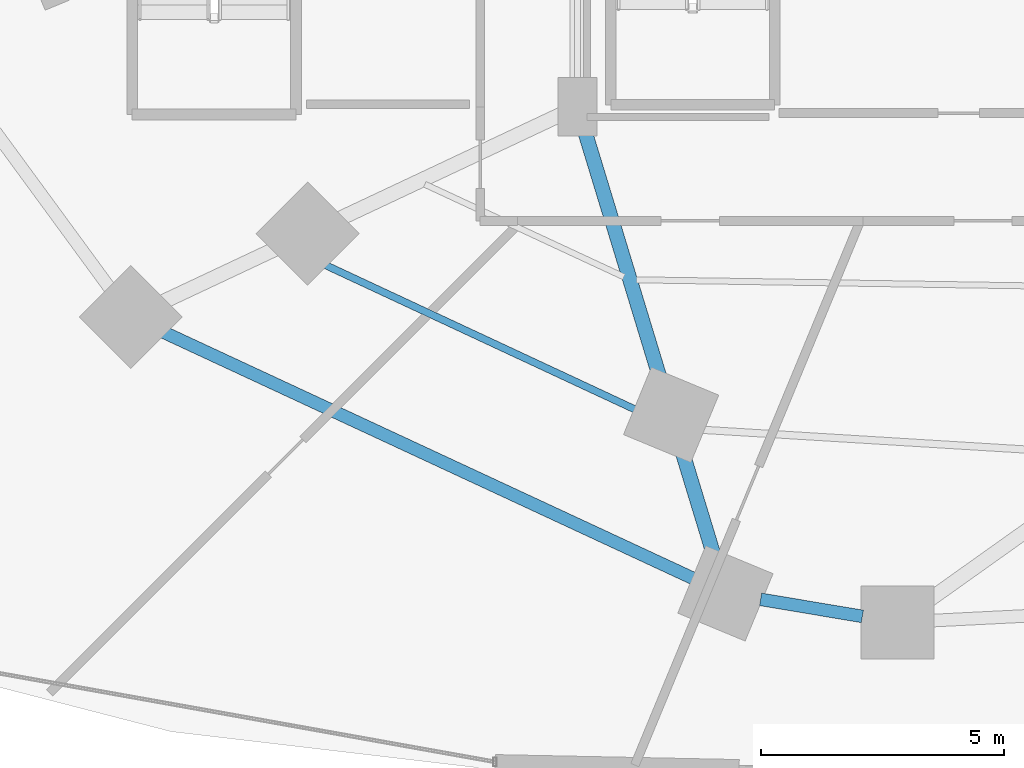
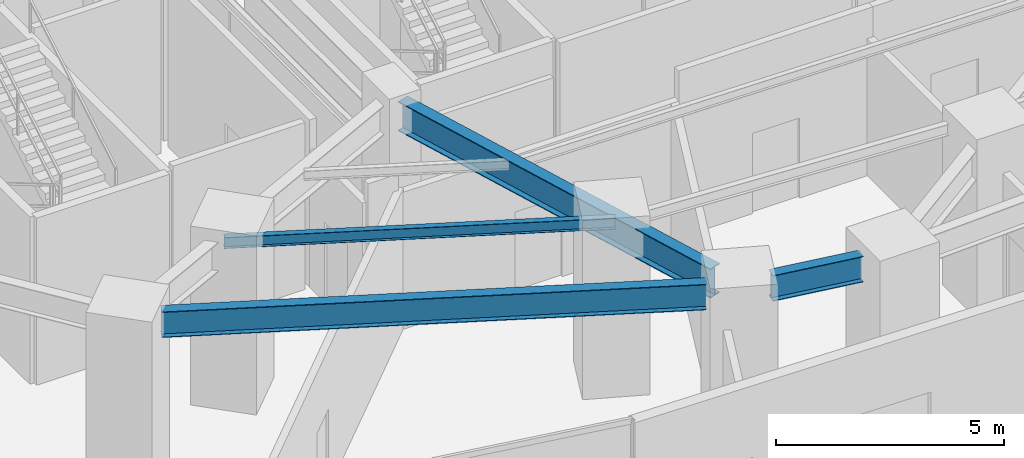
# One storey, part 5 of 36: 4 beams.
"""IFC4 building model written with IfcOpenShell, lengths in metres."""

from ifc_helpers import new_model, si_unit, direction, frame, origin, origin_2d, place, context, subcontext, project, spatial, i_section, extrude, material, material_profile, profile_set, type_object, element, save


model = new_model("IFC4")

# Units and contexts
model_context = context("Model", 3, precision=1e-05, world=origin(), true_north=direction((0.0, 1.0)))
body_context = subcontext(model_context, "Body", "Model", "MODEL_VIEW")
ifc_project = project(units=[si_unit("LENGTHUNIT", "METRE"), si_unit("AREAUNIT", "SQUARE_METRE"), si_unit("VOLUMEUNIT", "CUBIC_METRE"), si_unit("PLANEANGLEUNIT", "RADIAN"), si_unit("MASSUNIT", "GRAM", prefix="KILO")], contexts=[model_context])

# Site, building, storey
site_placement = place(None, origin())
site = spatial("IfcSite", under=ifc_project, at=site_placement, CompositionType="ELEMENT")
building_placement = place(site_placement, origin())
building = spatial("IfcBuilding", under=site, at=building_placement, Name="Vorneva Point Tower", CompositionType="ELEMENT")
storey_placement = place(building_placement, origin())
storey = spatial("IfcBuildingStorey", under=building, at=storey_placement, Name="L00", CompositionType="ELEMENT", Elevation=0.0)

# Beams
ifc_material = material(Name="Steel S355", Category="steel")
ifc_material_profile_1 = material_profile(ifc_material, i_section(OverallWidth=0.300048828125, OverallDepth=0.7880859375, WebThickness=0.014404296875, FlangeThickness=0.02197265625, at=origin_2d()), Name="80Sh1")
ifc_profile_set_1 = profile_set([ifc_material_profile_1], Name="Steel S355")
beam_type_1 = type_object("IfcBeamType", Name="BM-GRD-80Sh1", PredefinedType="USERDEFINED", material=ifc_profile_set_1)
beam_1_placement = place(storey_placement, frame((30.08203125, 7.14111328125, 4.0859375), z_axis=(-0.291040566437, 0.956710713167, 0.0), x_axis=(-0.956710713167, -0.291040566437, 0.0)))
element("IfcBeam", 1, at=beam_1_placement, inside=storey, type_object=beam_type_1, Name="L00 Radial Primary Girder 12", ObjectType="GIRDER", PredefinedType="USERDEFINED", context=body_context, shape_type="SweptSolid", body=[
    extrude(i_section(OverallWidth=0.300048828125, OverallDepth=0.7880859375, WebThickness=0.014404296875, FlangeThickness=0.02197265625, at=origin_2d()), origin(), (0.0, 0.0, 1.0), 9.39013671875),
])
ifc_material_profile_2 = material_profile(ifc_material, i_section(OverallWidth=0.14892578125, OverallDepth=0.298095703125, WebThickness=0.005615234375, FlangeThickness=0.008056640625, at=origin_2d()), Name="30B1")
ifc_profile_set_2 = profile_set([ifc_material_profile_2], Name="Steel S355")
beam_type_2 = type_object("IfcBeamType", Name="BM-JST-30B1", PredefinedType="JOIST", material=ifc_profile_set_2)
beam_2_placement = place(storey_placement, frame((21.318115234375, 13.540283203125, 4.3310546875), z_axis=(0.906323344433, -0.422584897193, 0.0), x_axis=(0.422584897193, 0.906323344433, 0.0)))
element("IfcBeam", 2, at=beam_2_placement, inside=storey, type_object=beam_type_2, Name="L00 Secondary Floor Beam 1.11", PredefinedType="JOIST", context=body_context, shape_type="SweptSolid", body=[
    extrude(i_section(OverallWidth=0.14892578125, OverallDepth=0.298095703125, WebThickness=0.005615234375, FlangeThickness=0.008056640625, at=origin_2d()), origin(), (0.0, 0.0, 1.0), 8.627197265625),
])
ifc_material_profile_3 = material_profile(ifc_material, i_section(OverallWidth=0.260009765625, OverallDepth=0.69091796875, WebThickness=0.011962890625, FlangeThickness=0.015380859375, at=origin_2d()), Name="70B1")
ifc_profile_set_3 = profile_set([ifc_material_profile_3], Name="Steel S355")
beam_type_3 = type_object("IfcBeamType", Name="BM-SPN-70B1", PredefinedType="SPANDREL", material=ifc_profile_set_3)
beam_3_placement = place(storey_placement, frame((18.727783203125, 11.814208984375, 4.134521484375), z_axis=(0.906780872519, -0.421602240547, 0.0), x_axis=(0.421602240547, 0.906780872519, 0.0)))
element("IfcBeam", 3, at=beam_3_placement, inside=storey, type_object=beam_type_3, Name="L00 Perimeter Spandrel Ring Beam 11", PredefinedType="SPANDREL", context=body_context, shape_type="SweptSolid", body=[
    extrude(i_section(OverallWidth=0.260009765625, OverallDepth=0.69091796875, WebThickness=0.011962890625, FlangeThickness=0.015380859375, at=origin_2d()), origin(), (0.0, 0.0, 1.0), 12.0234375),
])
beam_4_placement = place(storey_placement, frame((31.021728515625, 6.3134765625, 4.134521484375), z_axis=(0.98617550681, -0.165704163399, 0.0), x_axis=(0.165704163399, 0.98617550681, 0.0)))
element("IfcBeam", 4, at=beam_4_placement, inside=storey, type_object=beam_type_3, Name="L00 Perimeter Spandrel Ring Beam 12", PredefinedType="SPANDREL", context=body_context, shape_type="SweptSolid", body=[
    extrude(i_section(OverallWidth=0.260009765625, OverallDepth=0.69091796875, WebThickness=0.011962890625, FlangeThickness=0.015380859375, at=origin_2d()), origin(), (0.0, 0.0, 1.0), 2.123046875),
])

save(model, "model.ifc")
